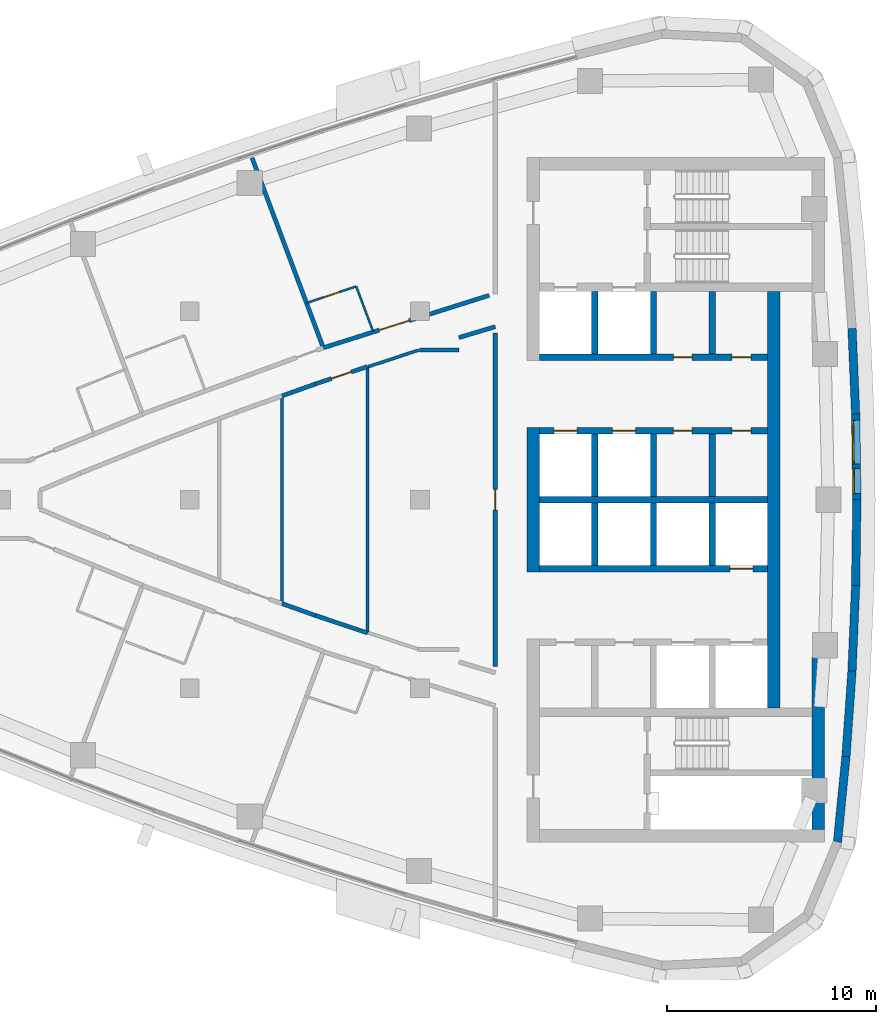
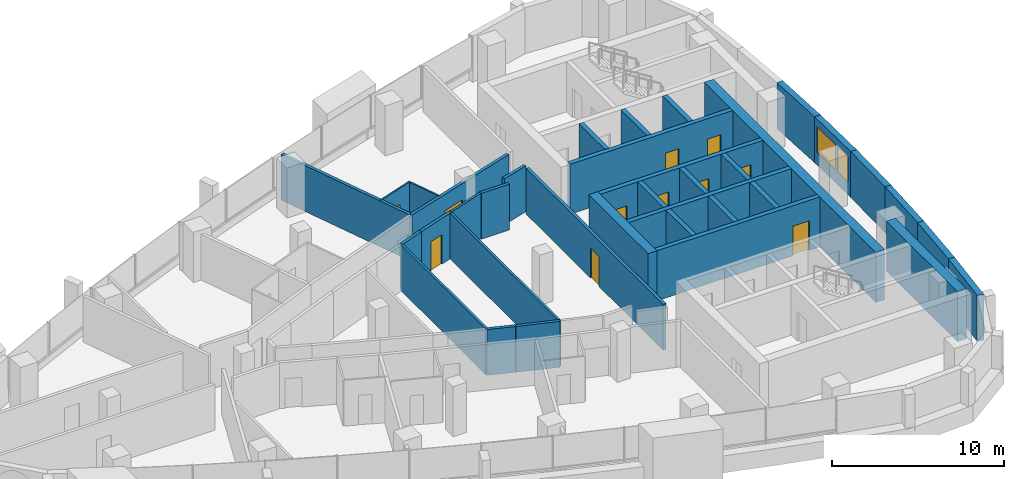
# One storey, part 10 of 15: 36 walls, 11 doors, 2 windows, 13 openings.
"""IFC4 building model written with IfcOpenShell, lengths in metres."""

from ifc_helpers import new_model, si_unit, direction, frame, frame_2d, origin, place, context, subcontext, project, spatial, polyline, rectangle, outline, extrude, material, layer, layer_set, type_object, element, fill, save


model = new_model("IFC4")

# Units and contexts
model_context = context("Model", 3, precision=1e-05, world=origin(), true_north=direction((0.0, 1.0)))
body_context = subcontext(model_context, "Body", "Model", "MODEL_VIEW")
ifc_project = project(units=[si_unit("LENGTHUNIT", "METRE"), si_unit("AREAUNIT", "SQUARE_METRE"), si_unit("VOLUMEUNIT", "CUBIC_METRE"), si_unit("PLANEANGLEUNIT", "RADIAN"), si_unit("MASSUNIT", "GRAM", prefix="KILO")], contexts=[model_context])

# Site, building, storey
site_placement = place(None, origin())
site = spatial("IfcSite", under=ifc_project, at=site_placement, CompositionType="ELEMENT")
building_placement = place(site_placement, origin())
building = spatial("IfcBuilding", under=site, at=building_placement, Name="Ostrand Prow Hotel Tower", CompositionType="ELEMENT")
storey_placement = place(building_placement, frame((0.0, 0.0, 238.550048828125)))
storey = spatial("IfcBuildingStorey", under=building, at=storey_placement, Name="L60", CompositionType="ELEMENT", Elevation=238.550048828125)

# Wall
ifc_material_1 = material(Name="Concrete C50/60", Category="concrete")
ifc_layer_1 = layer(ifc_material_1, 0.300048828125)
ifc_layer_set_1 = layer_set([ifc_layer_1], Name="Concrete C50/60")
wall_type_1 = type_object("IfcWallType", Name="Core wall 300 C50/60", PredefinedType="SHEAR", material=ifc_layer_set_1)
wall_1_placement = place(storey_placement, frame((50.699951171875, 0.0, 0.0), z_axis=(0.0, 0.0, 1.0), x_axis=(1.0, 0.0, 0.0)))
element("IfcWall", 1, at=wall_1_placement, inside=storey, type_object=wall_type_1, Name="Core wall PW-C", PredefinedType="SHEAR", context=body_context, shape_type="SweptSolid", body=[
    extrude(rectangle(XDim=10.900146484375, YDim=0.300048828125, at=frame_2d((5.4501953125, 0.0))), origin(), (0.0, 0.0, 1.0), 3.550048828125),
])

# Wall, openings, doors
wall_2_placement = place(storey_placement, frame((50.699951171875, 3.300048828125, 0.0), z_axis=(0.0, 0.0, 1.0), x_axis=(1.0, 0.0, 0.0)))
wall_2 = element("IfcWall", 2, at=wall_2_placement, inside=storey, type_object=wall_type_1, Name="Core wall PW-L1-N", PredefinedType="SHEAR", context=body_context, shape_type="SweptSolid", body=[
    extrude(rectangle(XDim=10.900146484375, YDim=0.300048828125, at=frame_2d((5.4501953125, 0.0))), origin(), (0.0, 0.0, 1.0), 3.550048828125),
])
opening_1_placement = place(wall_2_placement, frame((0.699951171875, 0.0, 0.0)))
opening_1 = element("IfcOpeningElement", 3, at=opening_1_placement, cuts=wall_2, Name="Opening LD", PredefinedType="OPENING", context=body_context, shape_type="SweptSolid", body=[
    extrude(rectangle(XDim=1.10009765625, YDim=2.10009765625, at=frame_2d((0.550048828125, 1.050048828125))), frame((0.0, 0.159912109375, 0.0), z_axis=(0.0, -1.0, 0.0), x_axis=(1.0, 0.0, 0.0)), (0.0, 0.0, 1.0), 0.320068359375),
])
opening_2_placement = place(wall_2_placement, frame((3.5, 0.0, 0.0)))
opening_2 = element("IfcOpeningElement", 4, at=opening_2_placement, cuts=wall_2, Name="Opening LD", PredefinedType="OPENING", context=body_context, shape_type="SweptSolid", body=[
    extrude(rectangle(XDim=1.10009765625, YDim=2.10009765625, at=frame_2d((0.550048828125, 1.050048828125))), frame((0.0, 0.159912109375, 0.0), z_axis=(0.0, -1.0, 0.0), x_axis=(1.0, 0.0, 0.0)), (0.0, 0.0, 1.0), 0.320068359375),
])
opening_3_placement = place(wall_2_placement, frame((6.39990234375, 0.0, 0.0)))
opening_3 = element("IfcOpeningElement", 5, at=opening_3_placement, cuts=wall_2, Name="Opening FD2", PredefinedType="OPENING", context=body_context, shape_type="SweptSolid", body=[
    extrude(rectangle(XDim=0.89990234375, YDim=2.10009765625, at=frame_2d((0.449951171875, 1.050048828125))), frame((0.0, 0.159912109375, 0.0), z_axis=(0.0, -1.0, 0.0), x_axis=(1.0, 0.0, 0.0)), (0.0, 0.0, 1.0), 0.320068359375),
])
opening_4_placement = place(wall_2_placement, frame((9.199951171875, 0.0, 0.0)))
opening_4 = element("IfcOpeningElement", 6, at=opening_4_placement, cuts=wall_2, Name="Opening FD2", PredefinedType="OPENING", context=body_context, shape_type="SweptSolid", body=[
    extrude(rectangle(XDim=0.89990234375, YDim=2.10009765625, at=frame_2d((0.449951171875, 1.050048828125))), frame((0.0, 0.159912109375, 0.0), z_axis=(0.0, -1.0, 0.0), x_axis=(1.0, 0.0, 0.0)), (0.0, 0.0, 1.0), 0.320068359375),
])
ifc_material_2 = material(Name="Steel fire door", Category="steel")
door_type_1 = type_object("IfcDoorType", Name="Fire door 900 EI120", OperationType="SINGLE_SWING_LEFT", PredefinedType="DOOR", material=ifc_material_2)
door_1_placement = place(opening_3_placement, origin())
door_1 = element("IfcDoor", 7, at=door_1_placement, inside=storey, type_object=door_type_1, Name="DOOR", OperationType="SINGLE_SWING_LEFT", OverallHeight=2.10009765625, OverallWidth=0.89990234375, PredefinedType="DOOR", context=body_context, shape_type="SweptSolid", body=[
    extrude(rectangle(XDim=0.89990234375, YDim=2.10009765625, at=frame_2d((0.449951171875, 1.050048828125))), frame((0.0, 0.02490234375, 0.0), z_axis=(0.0, -1.0, 0.0), x_axis=(1.0, 0.0, 0.0)), (0.0, 0.0, 1.0), 0.050048828125),
])
fill(opening_3, door_1)
door_2_placement = place(opening_4_placement, origin())
door_2 = element("IfcDoor", 8, at=door_2_placement, inside=storey, type_object=door_type_1, Name="DOOR", OperationType="SINGLE_SWING_LEFT", OverallHeight=2.10009765625, OverallWidth=0.89990234375, PredefinedType="DOOR", context=body_context, shape_type="SweptSolid", body=[
    extrude(rectangle(XDim=0.89990234375, YDim=2.10009765625, at=frame_2d((0.449951171875, 1.050048828125))), frame((0.0, 0.02490234375, 0.0), z_axis=(0.0, -1.0, 0.0), x_axis=(1.0, 0.0, 0.0)), (0.0, 0.0, 1.0), 0.050048828125),
])
fill(opening_4, door_2)
ifc_material_3 = material(Name="Stainless steel door", Category="steel")
door_type_2 = type_object("IfcDoorType", Name="Lift landing door 1100", OperationType="DOUBLE_DOOR_SLIDING", PredefinedType="DOOR", material=ifc_material_3)
door_3_placement = place(opening_1_placement, origin())
door_3 = element("IfcDoor", 9, at=door_3_placement, inside=storey, type_object=door_type_2, Name="LIFT LANDING DOOR", OperationType="DOUBLE_DOOR_SLIDING", OverallHeight=2.10009765625, OverallWidth=1.10009765625, PredefinedType="DOOR", context=body_context, shape_type="SweptSolid", body=[
    extrude(rectangle(XDim=1.10009765625, YDim=2.10009765625, at=frame_2d((0.550048828125, 1.050048828125))), frame((0.0, 0.02490234375, 0.0), z_axis=(0.0, -1.0, 0.0), x_axis=(1.0, 0.0, 0.0)), (0.0, 0.0, 1.0), 0.050048828125),
])
fill(opening_1, door_3)
door_4_placement = place(opening_2_placement, origin())
door_4 = element("IfcDoor", 10, at=door_4_placement, inside=storey, type_object=door_type_2, Name="LIFT LANDING DOOR", OperationType="DOUBLE_DOOR_SLIDING", OverallHeight=2.10009765625, OverallWidth=1.10009765625, PredefinedType="DOOR", context=body_context, shape_type="SweptSolid", body=[
    extrude(rectangle(XDim=1.10009765625, YDim=2.10009765625, at=frame_2d((0.550048828125, 1.050048828125))), frame((0.0, 0.02490234375, 0.0), z_axis=(0.0, -1.0, 0.0), x_axis=(1.0, 0.0, 0.0)), (0.0, 0.0, 1.0), 0.050048828125),
])
fill(opening_2, door_4)

wall_3_placement = place(storey_placement, frame((50.699951171875, 6.800048828125, 0.0), z_axis=(0.0, 0.0, 1.0), x_axis=(1.0, 0.0, 0.0)))
wall_3 = element("IfcWall", 11, at=wall_3_placement, inside=storey, type_object=wall_type_1, Name="Core wall PW-L2-N", PredefinedType="SHEAR", context=body_context, shape_type="SweptSolid", body=[
    extrude(rectangle(XDim=10.900146484375, YDim=0.300048828125, at=frame_2d((5.4501953125, 0.0))), origin(), (0.0, 0.0, 1.0), 3.550048828125),
])
opening_5_placement = place(wall_3_placement, frame((6.39990234375, 0.0, 0.0)))
opening_5 = element("IfcOpeningElement", 12, at=opening_5_placement, cuts=wall_3, Name="Opening FD2", PredefinedType="OPENING", context=body_context, shape_type="SweptSolid", body=[
    extrude(rectangle(XDim=0.89990234375, YDim=2.10009765625, at=frame_2d((0.449951171875, 1.050048828125))), frame((0.0, 0.159912109375, 0.0), z_axis=(0.0, -1.0, 0.0), x_axis=(1.0, 0.0, 0.0)), (0.0, 0.0, 1.0), 0.320068359375),
])
opening_6_placement = place(wall_3_placement, frame((9.199951171875, 0.0, 0.0)))
opening_6 = element("IfcOpeningElement", 13, at=opening_6_placement, cuts=wall_3, Name="Opening FD2", PredefinedType="OPENING", context=body_context, shape_type="SweptSolid", body=[
    extrude(rectangle(XDim=0.89990234375, YDim=2.10009765625, at=frame_2d((0.449951171875, 1.050048828125))), frame((0.0, 0.159912109375, 0.0), z_axis=(0.0, -1.0, 0.0), x_axis=(1.0, 0.0, 0.0)), (0.0, 0.0, 1.0), 0.320068359375),
])
door_5_placement = place(opening_5_placement, origin())
door_5 = element("IfcDoor", 14, at=door_5_placement, inside=storey, type_object=door_type_1, Name="DOOR", OperationType="SINGLE_SWING_LEFT", OverallHeight=2.10009765625, OverallWidth=0.89990234375, PredefinedType="DOOR", context=body_context, shape_type="SweptSolid", body=[
    extrude(rectangle(XDim=0.89990234375, YDim=2.10009765625, at=frame_2d((0.449951171875, 1.050048828125))), frame((0.0, 0.02490234375, 0.0), z_axis=(0.0, -1.0, 0.0), x_axis=(1.0, 0.0, 0.0)), (0.0, 0.0, 1.0), 0.050048828125),
])
fill(opening_5, door_5)
door_6_placement = place(opening_6_placement, origin())
door_6 = element("IfcDoor", 15, at=door_6_placement, inside=storey, type_object=door_type_1, Name="DOOR", OperationType="SINGLE_SWING_LEFT", OverallHeight=2.10009765625, OverallWidth=0.89990234375, PredefinedType="DOOR", context=body_context, shape_type="SweptSolid", body=[
    extrude(rectangle(XDim=0.89990234375, YDim=2.10009765625, at=frame_2d((0.449951171875, 1.050048828125))), frame((0.0, 0.02490234375, 0.0), z_axis=(0.0, -1.0, 0.0), x_axis=(1.0, 0.0, 0.0)), (0.0, 0.0, 1.0), 0.050048828125),
])
fill(opening_6, door_6)

# Walls
for number, where, z_axis, x_axis, name in (
    (16, (53.35009765625, 0.14990234375, 0.0), (0.0, 0.0, 1.0), (0.0, 1.0, 0.0), "Core wall PW-R1-NB"),
    (17, (53.35009765625, 6.949951171875, 0.0), (0.0, 0.0, 1.0), (0.0, 1.0, 0.0), "Core wall PW-R1-NA"),
    (18, (56.14990234375, 0.14990234375, 0.0), (0.0, 0.0, 1.0), (0.0, 1.0, 0.0), "Core wall PW-R2-NB"),
    (19, (56.14990234375, 6.949951171875, 0.0), (0.0, 0.0, 1.0), (0.0, 1.0, 0.0), "Core wall PW-R2-NA"),
    (20, (58.949951171875, 0.14990234375, 0.0), (0.0, 0.0, 1.0), (0.0, 1.0, 0.0), "Core wall PW-R3-NB"),
    (21, (58.949951171875, 6.949951171875, 0.0), (0.0, 0.0, 1.0), (0.0, 1.0, 0.0), "Core wall PW-R3-NA"),
):
    element("IfcWall", number, at=place(storey_placement, frame(where, z_axis=z_axis, x_axis=x_axis)), inside=storey, type_object=wall_type_1, Name=name, PredefinedType="SHEAR", context=body_context, shape_type="SweptSolid", body=[
        extrude(rectangle(XDim=3.0, YDim=0.300048828125, at=frame_2d((1.5, 0.0))), origin(), (0.0, 0.0, 1.0), 3.550048828125),
    ])

# Wall, opening, door
wall_4_placement = place(storey_placement, frame((50.699951171875, -3.300048828125, 0.0), z_axis=(0.0, 0.0, 1.0), x_axis=(1.0, 0.0, 0.0)))
wall_4 = element("IfcWall", 22, at=wall_4_placement, inside=storey, type_object=wall_type_1, Name="Core wall PW-L1-S", PredefinedType="SHEAR", context=body_context, shape_type="SweptSolid", body=[
    extrude(rectangle(XDim=10.900146484375, YDim=0.300048828125, at=frame_2d((5.4501953125, 0.0))), origin(), (0.0, 0.0, 1.0), 3.550048828125),
])
opening_7_placement = place(wall_4_placement, frame((9.10009765625, 0.0, 0.0)))
opening_7 = element("IfcOpeningElement", 23, at=opening_7_placement, cuts=wall_4, Name="Opening LD", PredefinedType="OPENING", context=body_context, shape_type="SweptSolid", body=[
    extrude(rectangle(XDim=1.10009765625, YDim=2.10009765625, at=frame_2d((0.550048828125, 1.050048828125))), frame((0.0, 0.159912109375, 0.0), z_axis=(0.0, -1.0, 0.0), x_axis=(1.0, 0.0, 0.0)), (0.0, 0.0, 1.0), 0.320068359375),
])
door_7_placement = place(opening_7_placement, origin())
door_7 = element("IfcDoor", 24, at=door_7_placement, inside=storey, type_object=door_type_2, Name="LIFT LANDING DOOR", OperationType="DOUBLE_DOOR_SLIDING", OverallHeight=2.10009765625, OverallWidth=1.10009765625, PredefinedType="DOOR", context=body_context, shape_type="SweptSolid", body=[
    extrude(rectangle(XDim=1.10009765625, YDim=2.10009765625, at=frame_2d((0.550048828125, 1.050048828125))), frame((0.0, 0.02490234375, 0.0), z_axis=(0.0, -1.0, 0.0), x_axis=(1.0, 0.0, 0.0)), (0.0, 0.0, 1.0), 0.050048828125),
])
fill(opening_7, door_7)

# Walls
for number, where, z_axis, x_axis, name in (
    (25, (53.35009765625, -3.14990234375, 0.0), (0.0, 0.0, 1.0), (0.0, 1.0, 0.0), "Core wall PW-R1-SB"),
    (26, (56.14990234375, -3.14990234375, 0.0), (0.0, 0.0, 1.0), (0.0, 1.0, 0.0), "Core wall PW-R2-SB"),
    (27, (58.949951171875, -3.14990234375, 0.0), (0.0, 0.0, 1.0), (0.0, 1.0, 0.0), "Core wall PW-R3-SB"),
):
    element("IfcWall", number, at=place(storey_placement, frame(where, z_axis=z_axis, x_axis=x_axis)), inside=storey, type_object=wall_type_1, Name=name, PredefinedType="SHEAR", context=body_context, shape_type="SweptSolid", body=[
        extrude(rectangle(XDim=3.0, YDim=0.300048828125, at=frame_2d((1.5, 0.0))), origin(), (0.0, 0.0, 1.0), 3.550048828125),
    ])
ifc_material_4 = material(Name="Concrete C50/60", Category="concrete")
ifc_layer_2 = layer(ifc_material_4, 0.60009765625)
ifc_layer_set_2 = layer_set([ifc_layer_2], Name="Concrete C50/60")
wall_type_2 = type_object("IfcWallType", Name="Core wall 600 C50/60", PredefinedType="SHEAR", material=ifc_layer_set_2)
wall_5_placement = place(storey_placement, frame((50.39990234375, -3.449951171875, 0.0), z_axis=(0.0, 0.0, 1.0), x_axis=(0.0, 1.0, 0.0)))
element("IfcWall", 28, at=wall_5_placement, inside=storey, type_object=wall_type_2, Name="Core wall CW-W-C", PredefinedType="SHEAR", context=body_context, shape_type="SweptSolid", body=[
    extrude(rectangle(XDim=6.89990234375, YDim=0.60009765625, at=frame_2d((3.449951171875, 0.0))), origin(), (0.0, 0.0, 1.0), 3.550048828125),
])
wall_6_placement = place(storey_placement, frame((64.02001953125, -15.75, 0.0), z_axis=(0.0, 0.0, 1.0), x_axis=(0.0, 1.0, 0.0)))
element("IfcWall", 29, at=wall_6_placement, inside=storey, type_object=wall_type_2, Name="Core wall CW-E-S", PredefinedType="SHEAR", context=body_context, shape_type="SweptSolid", body=[
    extrude(rectangle(XDim=8.247802734375, YDim=0.60009765625, at=frame_2d((4.1240234375, 0.0))), origin(), (0.0, 0.0, 1.0), 3.550048828125),
])
wall_7_placement = place(storey_placement, frame((61.89990234375, -9.949951171875, 0.0), z_axis=(0.0, 0.0, 1.0), x_axis=(0.0, 1.0, 0.0)))
element("IfcWall", 30, at=wall_7_placement, inside=storey, type_object=wall_type_2, Name="Core wall CW-E-C", PredefinedType="SHEAR", context=body_context, shape_type="SweptSolid", body=[
    extrude(rectangle(XDim=19.89990234375, YDim=0.60009765625, at=frame_2d((9.949951171875, 0.0))), origin(), (0.0, 0.0, 1.0), 3.550048828125),
])

# Wall, opening, door
ifc_material_5 = material(Name="Plasterboard partition")
ifc_layer_3 = layer(ifc_material_5, 0.10009765625)
ifc_layer_set_3 = layer_set([ifc_layer_3], Name="Plasterboard partition")
wall_type_3 = type_object("IfcWallType", Name="Partition 100 bathroom wall", PredefinedType="PARTITIONING", material=ifc_layer_set_3)
wall_8_placement = place(storey_placement, frame((39.57861328125, 9.393310546875, 0.0), z_axis=(0.0, 0.0, 1.0), x_axis=(0.948468383404, 0.316871781141, 0.0)))
wall_8 = element("IfcWall", 31, at=wall_8_placement, inside=storey, type_object=wall_type_3, Name="BATHROOM WALL", PredefinedType="PARTITIONING", context=body_context, shape_type="SweptSolid", body=[
    extrude(rectangle(XDim=2.501708984375, YDim=0.10009765625, at=frame_2d((1.2509765625, 0.0))), origin(), (0.0, 0.0, 1.0), 3.25),
])
opening_8_placement = place(wall_8_placement, frame((0.85009765625, 0.0, 0.0)))
opening_8 = element("IfcOpeningElement", 32, at=opening_8_placement, cuts=wall_8, Name="Opening D2", PredefinedType="OPENING", context=body_context, shape_type="SweptSolid", body=[
    extrude(rectangle(XDim=0.800048828125, YDim=2.10009765625, at=frame_2d((0.39990234375, 1.050048828125))), frame((0.0, 0.06005859375, 0.0), z_axis=(0.0, -1.0, 0.0), x_axis=(1.0, 0.0, 0.0)), (0.0, 0.0, 1.0), 0.1201171875),
])
ifc_material_6 = material(Name="Timber door leaf", Category="wood")
door_type_3 = type_object("IfcDoorType", Name="Bathroom door 800", OperationType="SINGLE_SWING_LEFT", PredefinedType="DOOR", material=ifc_material_6)
door_8_placement = place(opening_8_placement, origin())
door_8 = element("IfcDoor", 33, at=door_8_placement, inside=storey, type_object=door_type_3, Name="DOOR", OperationType="SINGLE_SWING_LEFT", OverallHeight=2.10009765625, OverallWidth=0.800048828125, PredefinedType="DOOR", context=body_context, shape_type="SweptSolid", body=[
    extrude(rectangle(XDim=0.800048828125, YDim=2.10009765625, at=frame_2d((0.39990234375, 1.050048828125))), frame((0.0, 0.02490234375, 0.0), z_axis=(0.0, -1.0, 0.0), x_axis=(1.0, 0.0, 0.0)), (0.0, 0.0, 1.0), 0.050048828125),
])
fill(opening_8, door_8)

# Walls
wall_9_placement = place(storey_placement, frame((41.951416015625, 10.185791015625, 0.0), z_axis=(0.0, 0.0, 1.0), x_axis=(0.351146927505, -0.936320370014, 0.0)))
element("IfcWall", 34, at=wall_9_placement, inside=storey, type_object=wall_type_3, Name="BATHROOM WALL", PredefinedType="PARTITIONING", context=body_context, shape_type="SweptSolid", body=[
    extrude(rectangle(XDim=2.2783203125, YDim=0.10009765625, at=frame_2d((1.13916015625, 0.0))), origin(), (0.0, 0.0, 1.0), 3.25),
])
ifc_material_7 = material(Name="Plasterboard partition")
ifc_layer_4 = layer(ifc_material_7, 0.14990234375)
ifc_layer_set_4 = layer_set([ifc_layer_4], Name="Plasterboard partition")
wall_type_4 = type_object("IfcWallType", Name="Partition 150 room partition", PredefinedType="PARTITIONING", material=ifc_layer_set_4)
wall_10_placement = place(storey_placement, frame((38.409912109375, -4.960693359375, 0.0), z_axis=(0.0, 0.0, 1.0), x_axis=(0.0, 1.0, 0.0)))
element("IfcWall", 35, at=wall_10_placement, inside=storey, type_object=wall_type_4, Name="ROOM PARTITION", PredefinedType="PARTITIONING", context=body_context, shape_type="SweptSolid", body=[
    extrude(rectangle(XDim=9.92138671875, YDim=0.14990234375, at=frame_2d((4.960693359375, 0.0))), origin(), (0.0, 0.0, 1.0), 3.25),
])
wall_11_placement = place(storey_placement, frame((42.48583984375, -6.358154296875, 0.0), z_axis=(0.0, 0.0, 1.0), x_axis=(0.0, 1.0, 0.0)))
element("IfcWall", 36, at=wall_11_placement, inside=storey, type_object=wall_type_4, Name="ROOM PARTITION", PredefinedType="PARTITIONING", context=body_context, shape_type="SweptSolid", body=[
    extrude(rectangle(XDim=12.71630859375, YDim=0.14990234375, at=frame_2d((6.358154296875, 0.0))), origin(), (0.0, 0.0, 1.0), 3.25),
])
wall_12_placement = place(storey_placement, frame((42.52587890625, 6.353271484375, 0.0), z_axis=(0.0, 0.0, 1.0), x_axis=(0.949956634582, 0.312381805511, 0.0)))
element("IfcWall", 37, at=wall_12_placement, inside=storey, type_object=wall_type_4, Name="ROOM PARTITION", PredefinedType="PARTITIONING", context=body_context, shape_type="SweptSolid", body=[
    extrude(rectangle(XDim=2.53466796875, YDim=0.14990234375, at=frame_2d((1.267333984375, 0.0))), origin(), (0.0, 0.0, 1.0), 3.25),
])

# Wall, opening, door
ifc_material_8 = material(Name="Plasterboard partition")
ifc_layer_5 = layer(ifc_material_8, 0.199951171875)
ifc_layer_set_5 = layer_set([ifc_layer_5], Name="Plasterboard partition")
wall_type_5 = type_object("IfcWallType", Name="Partition 200 corridor wall", PredefinedType="PARTITIONING", material=ifc_layer_set_5)
wall_13_placement = place(storey_placement, frame((39.999267578125, 5.52734375, 0.0), z_axis=(0.0, 0.0, 1.0), x_axis=(0.948459565489, 0.316898173918, 0.0)))
wall_13 = element("IfcWall", 38, at=wall_13_placement, inside=storey, type_object=wall_type_5, Name="CORRIDOR WALL", PredefinedType="PARTITIONING", context=body_context, shape_type="SweptSolid", body=[
    extrude(rectangle(XDim=2.62158203125, YDim=0.199951171875, at=frame_2d((1.310791015625, 0.0))), origin(), (0.0, 0.0, 1.0), 3.25),
])
opening_9_placement = place(wall_13_placement, frame((0.810791015625, 0.0, 0.0)))
opening_9 = element("IfcOpeningElement", 39, at=opening_9_placement, cuts=wall_13, Name="Opening D1", PredefinedType="OPENING", context=body_context, shape_type="SweptSolid", body=[
    extrude(rectangle(XDim=1.0, YDim=2.10009765625, at=frame_2d((0.5, 1.050048828125))), frame((0.0, 0.10986328125, 0.0), z_axis=(0.0, -1.0, 0.0), x_axis=(1.0, 0.0, 0.0)), (0.0, 0.0, 1.0), 0.219970703125),
])
ifc_material_9 = material(Name="Timber door leaf", Category="wood")
door_type_4 = type_object("IfcDoorType", Name="Guest room door 1000", OperationType="SINGLE_SWING_LEFT", PredefinedType="DOOR", material=ifc_material_9)
door_9_placement = place(opening_9_placement, origin())
door_9 = element("IfcDoor", 40, at=door_9_placement, inside=storey, type_object=door_type_4, Name="DOOR", OperationType="SINGLE_SWING_LEFT", OverallHeight=2.10009765625, OverallWidth=1.0, PredefinedType="DOOR", context=body_context, shape_type="SweptSolid", body=[
    extrude(rectangle(XDim=1.0, YDim=2.10009765625, at=frame_2d((0.5, 1.050048828125))), frame((0.0, 0.02490234375, 0.0), z_axis=(0.0, -1.0, 0.0), x_axis=(1.0, 0.0, 0.0)), (0.0, 0.0, 1.0), 0.050048828125),
])
fill(opening_9, door_9)

# Walls
wall_14_placement = place(storey_placement, frame((42.48583984375, -6.358154296875, 0.0), z_axis=(0.0, 0.0, 1.0), x_axis=(-0.948459565489, 0.316898173918, 0.0)))
element("IfcWall", 41, at=wall_14_placement, inside=storey, type_object=wall_type_5, Name="CORRIDOR WALL", PredefinedType="PARTITIONING", context=body_context, shape_type="SweptSolid", body=[
    extrude(rectangle(XDim=2.62158203125, YDim=0.199951171875, at=frame_2d((1.310791015625, 0.0))), origin(), (0.0, 0.0, 1.0), 3.25),
])
for number, where, z_axis, x_axis, name in (
    (42, (39.999267578125, -5.52734375, 0.0), (0.0, 0.0, 1.0), (-0.941925088036, 0.335823061341, 0.0), "CORRIDOR WALL"),
    (43, (38.409912109375, 4.960693359375, 0.0), (0.0, 0.0, 1.0), (0.941925088036, 0.335823061341, 0.0), "CORRIDOR WALL"),
):
    element("IfcWall", number, at=place(storey_placement, frame(where, z_axis=z_axis, x_axis=x_axis)), inside=storey, type_object=wall_type_5, Name=name, PredefinedType="PARTITIONING", context=body_context, shape_type="SweptSolid", body=[
        extrude(rectangle(XDim=1.687255859375, YDim=0.199951171875, at=frame_2d((0.84375, 0.0))), origin(), (0.0, 0.0, 1.0), 3.25),
    ])

# Wall, opening, door
wall_15_placement = place(storey_placement, frame((40.3798828125, 7.257080078125, 0.0), z_axis=(0.0, 0.0, 1.0), x_axis=(0.953536454425, 0.301277662768, 0.0)))
wall_15 = element("IfcWall", 44, at=wall_15_placement, inside=storey, type_object=wall_type_5, Name="CORRIDOR WALL", PredefinedType="PARTITIONING", context=body_context, shape_type="SweptSolid", body=[
    extrude(rectangle(XDim=8.30615234375, YDim=0.199951171875, at=frame_2d((4.153076171875, 0.0))), origin(), (0.0, 0.0, 1.0), 3.25),
])
opening_10_placement = place(wall_15_placement, frame((2.800048828125, 0.0, 0.0)))
opening_10 = element("IfcOpeningElement", 45, at=opening_10_placement, cuts=wall_15, Name="Opening D15", PredefinedType="OPENING", context=body_context, shape_type="SweptSolid", body=[
    extrude(rectangle(XDim=1.5, YDim=2.10009765625, at=frame_2d((0.75, 1.050048828125))), frame((0.0, 0.10986328125, 0.0), z_axis=(0.0, -1.0, 0.0), x_axis=(1.0, 0.0, 0.0)), (0.0, 0.0, 1.0), 0.219970703125),
])
ifc_material_10 = material(Name="Timber door leaf", Category="wood")
door_type_5 = type_object("IfcDoorType", Name="Double door 1500", OperationType="DOUBLE_DOOR_SINGLE_SWING", PredefinedType="DOOR", material=ifc_material_10)
door_10_placement = place(opening_10_placement, origin())
door_10 = element("IfcDoor", 46, at=door_10_placement, inside=storey, type_object=door_type_5, Name="DOOR", OperationType="DOUBLE_DOOR_SINGLE_SWING", OverallHeight=2.10009765625, OverallWidth=1.5, PredefinedType="DOOR", context=body_context, shape_type="SweptSolid", body=[
    extrude(rectangle(XDim=1.5, YDim=2.10009765625, at=frame_2d((0.75, 1.050048828125))), frame((0.0, 0.02490234375, 0.0), z_axis=(0.0, -1.0, 0.0), x_axis=(1.0, 0.0, 0.0)), (0.0, 0.0, 1.0), 0.050048828125),
])
fill(opening_10, door_10)

wall_16_placement = place(storey_placement, frame((48.594970703125, 7.95703125, 0.0), z_axis=(0.0, 0.0, 1.0), x_axis=(0.0, -1.0, 0.0)))
wall_16 = element("IfcWall", 47, at=wall_16_placement, inside=storey, type_object=wall_type_5, Name="CORRIDOR WALL", PredefinedType="PARTITIONING", context=body_context, shape_type="SweptSolid", body=[
    extrude(rectangle(XDim=15.9140625, YDim=0.199951171875, at=frame_2d((7.95703125, 0.0))), origin(), (0.0, 0.0, 1.0), 3.25),
])
opening_11_placement = place(wall_16_placement, frame((7.45703125, 0.0, 0.0)))
opening_11 = element("IfcOpeningElement", 48, at=opening_11_placement, cuts=wall_16, Name="Opening D1R", PredefinedType="OPENING", context=body_context, shape_type="SweptSolid", body=[
    extrude(rectangle(XDim=1.0, YDim=2.10009765625, at=frame_2d((0.5, 1.050048828125))), frame((0.0, 0.10986328125, 0.0), z_axis=(0.0, -1.0, 0.0), x_axis=(1.0, 0.0, 0.0)), (0.0, 0.0, 1.0), 0.219970703125),
])
ifc_material_11 = material(Name="Timber door leaf", Category="wood")
door_type_6 = type_object("IfcDoorType", Name="Guest room door 1000 right", OperationType="SINGLE_SWING_RIGHT", PredefinedType="DOOR", material=ifc_material_11)
door_11_placement = place(opening_11_placement, origin())
door_11 = element("IfcDoor", 49, at=door_11_placement, inside=storey, type_object=door_type_6, Name="DOOR", OperationType="SINGLE_SWING_RIGHT", OverallHeight=2.10009765625, OverallWidth=1.0, PredefinedType="DOOR", context=body_context, shape_type="SweptSolid", body=[
    extrude(rectangle(XDim=1.0, YDim=2.10009765625, at=frame_2d((0.5, 1.050048828125))), frame((0.0, 0.02490234375, 0.0), z_axis=(0.0, -1.0, 0.0), x_axis=(1.0, 0.0, 0.0)), (0.0, 0.0, 1.0), 0.050048828125),
])
fill(opening_11, door_11)

# Walls
wall_17_placement = place(storey_placement, frame((44.973388671875, 7.14501953125, 0.0), z_axis=(0.0, 0.0, 1.0), x_axis=(0.999999991552, 0.0001299883, 0.0)))
element("IfcWall", 50, at=wall_17_placement, inside=storey, type_object=wall_type_5, Name="CORRIDOR WALL", PredefinedType="PARTITIONING", context=body_context, shape_type="SweptSolid", body=[
    extrude(rectangle(XDim=1.878173828125, YDim=0.199951171875, at=frame_2d((0.93896484375, 0.0))), origin(), (0.0, 0.0, 1.0), 3.25),
])
wall_18_placement = place(storey_placement, frame((46.85498046875, 7.744140625, 0.0), z_axis=(0.0, 0.0, 1.0), x_axis=(0.958014760688, 0.286718883759, 0.0)))
element("IfcWall", 51, at=wall_18_placement, inside=storey, type_object=wall_type_5, Name="CORRIDOR WALL", PredefinedType="PARTITIONING", context=body_context, shape_type="SweptSolid", body=[
    extrude(rectangle(XDim=1.816162109375, YDim=0.199951171875, at=frame_2d((0.908203125, 0.0))), origin(), (0.0, 0.0, 1.0), 3.25),
])
ifc_material_12 = material(Name="Plasterboard partition")
ifc_layer_6 = layer(ifc_material_12, 0.199951171875)
ifc_layer_set_6 = layer_set([ifc_layer_6], Name="Plasterboard partition")
wall_type_6 = type_object("IfcWallType", Name="Partition 200 key partition", PredefinedType="PARTITIONING", material=ifc_layer_set_6)
wall_19_placement = place(storey_placement, frame((40.38671875, 7.23828125, 0.0), z_axis=(0.0, 0.0, 1.0), x_axis=(-0.351098633881, 0.936338480084, 0.0)))
element("IfcWall", 52, at=wall_19_placement, inside=storey, type_object=wall_type_6, Name="KEY PARTITION", PredefinedType="PARTITIONING", context=body_context, shape_type="SweptSolid", body=[
    extrude(rectangle(XDim=9.70654296875, YDim=0.199951171875, at=frame_2d((4.853271484375, 0.0))), origin(), (0.0, 0.0, 1.0), 3.25),
])
ifc_material_13 = material(Name="Precast concrete C40/50", Category="concrete")
ifc_layer_7 = layer(ifc_material_13, 0.39990234375)
ifc_layer_set_7 = layer_set([ifc_layer_7], Name="Precast concrete C40/50")
wall_type_7 = type_object("IfcWallType", Name="Stone-faced precast wall 400 mm", PredefinedType="NOTDEFINED", material=ifc_layer_set_7)
wall_20_placement = place(storey_placement, frame((64.9375, -16.33740234375, 0.0), z_axis=(0.0, 0.0, 1.0), x_axis=(0.098718218066, 0.995115427185, 0.0)))
element("IfcWall", 53, at=wall_20_placement, inside=storey, type_object=wall_type_7, Name="Stone-faced wall back 5", PredefinedType="NOTDEFINED", context=body_context, shape_type="SweptSolid", body=[
    extrude(outline(polyline([(-0.02978515625, -0.199951171875), (4.095703125, -0.199951171875), (4.09033203125, 0.199951171875), (0.02978515625, 0.199951171875), (-0.02978515625, -0.199951171875)])), origin(), (0.0, 0.0, 1.0), 3.25),
])
wall_21_placement = place(storey_placement, frame((65.341552734375, -12.264404296875, 0.0), z_axis=(0.0, 0.0, 1.0), x_axis=(0.070623905352, 0.997503014528, 0.0)))
element("IfcWall", 54, at=wall_21_placement, inside=storey, type_object=wall_type_7, Name="Stone-faced wall back 6", PredefinedType="NOTDEFINED", context=body_context, shape_type="SweptSolid", body=[
    extrude(outline(polyline([(-0.002685546875, -0.199951171875), (4.095703125, -0.199951171875), (4.09033203125, 0.199951171875), (0.002685546875, 0.199951171875), (-0.002685546875, -0.199951171875)])), origin(), (0.0, 0.0, 1.0), 3.25),
])
wall_22_placement = place(storey_placement, frame((65.630615234375, -8.181640625, 0.0), z_axis=(0.0, 0.0, 1.0), x_axis=(0.042352554594, 0.999102728011, 0.0)))
element("IfcWall", 55, at=wall_22_placement, inside=storey, type_object=wall_type_7, Name="Stone-faced wall back 7", PredefinedType="NOTDEFINED", context=body_context, shape_type="SweptSolid", body=[
    extrude(outline(polyline([(-0.002685546875, -0.199951171875), (4.095458984375, -0.199951171875), (4.090087890625, 0.199951171875), (0.002685546875, 0.199951171875), (-0.002685546875, -0.199951171875)])), origin(), (0.0, 0.0, 1.0), 3.25),
])
wall_23_placement = place(storey_placement, frame((65.803955078125, -4.092529296875, 0.0), z_axis=(0.0, 0.0, 1.0), x_axis=(0.014136867892, 0.99990006949, 0.0)))
element("IfcWall", 56, at=wall_23_placement, inside=storey, type_object=wall_type_7, Name="Stone-faced wall back 8", PredefinedType="NOTDEFINED", context=body_context, shape_type="SweptSolid", body=[
    extrude(outline(polyline([(-0.002685546875, -0.199951171875), (4.095703125, -0.199951171875), (4.09033203125, 0.199951171875), (0.002685546875, 0.199951171875), (-0.002685546875, -0.199951171875)])), origin(), (0.0, 0.0, 1.0), 3.25),
])

# Wall, openings, windows
wall_24_placement = place(storey_placement, frame((65.86181640625, 0.0, 0.0), z_axis=(0.0, 0.0, 1.0), x_axis=(-0.014136867892, 0.99990006949, 0.0)))
wall_24 = element("IfcWall", 57, at=wall_24_placement, inside=storey, type_object=wall_type_7, Name="Stone-faced wall back 9", PredefinedType="NOTDEFINED", context=body_context, shape_type="SweptSolid", body=[
    extrude(outline(polyline([(-0.002685546875, -0.199951171875), (4.095703125, -0.199951171875), (4.09033203125, 0.199951171875), (0.002685546875, 0.199951171875), (-0.002685546875, -0.199951171875)])), origin(), (0.0, 0.0, 1.0), 3.25),
])
opening_12_placement = place(wall_24_placement, frame((0.29638671875, 0.0, 0.89990234375)))
opening_12 = element("IfcOpeningElement", 58, at=opening_12_placement, cuts=wall_24, Name="Opening WS4", PredefinedType="OPENING", context=body_context, shape_type="SweptSolid", body=[
    extrude(rectangle(XDim=1.199951171875, YDim=1.800048828125, at=frame_2d((0.60009765625, 0.89990234375))), frame((0.0, 0.2099609375, 0.0), z_axis=(0.0, -1.0, 0.0), x_axis=(1.0, 0.0, 0.0)), (0.0, 0.0, 1.0), 0.419921875),
])
opening_13_placement = place(wall_24_placement, frame((1.696533203125, 0.0, 0.89990234375)))
opening_13 = element("IfcOpeningElement", 59, at=opening_13_placement, cuts=wall_24, Name="Opening WS5-21", PredefinedType="OPENING", context=body_context, shape_type="SweptSolid", body=[
    extrude(rectangle(XDim=2.10009765625, YDim=1.800048828125, at=frame_2d((1.050048828125, 0.89990234375))), frame((0.0, 0.2099609375, 0.0), z_axis=(0.0, -1.0, 0.0), x_axis=(1.0, 0.0, 0.0)), (0.0, 0.0, 1.0), 0.419921875),
])
ifc_material_14 = material(Name="Insulated glass in bronze frame", Category="glass")
window_type_1 = type_object("IfcWindowType", Name="Fixed strip window 2100x1800", PartitioningType="SINGLE_PANEL", PredefinedType="WINDOW", material=ifc_material_14)
window_1_placement = place(opening_13_placement, origin())
window_1 = element("IfcWindow", 60, at=window_1_placement, inside=storey, type_object=window_type_1, Name="Window back 9.2", OverallHeight=1.800048828125, OverallWidth=2.10009765625, PartitioningType="SINGLE_PANEL", PredefinedType="WINDOW", context=body_context, shape_type="SweptSolid", body=[
    extrude(rectangle(XDim=2.10009765625, YDim=1.800048828125, at=frame_2d((1.050048828125, 0.89990234375))), frame((0.0, 0.169921875, 0.0), z_axis=(0.0, -1.0, 0.0), x_axis=(1.0, 0.0, 0.0)), (0.0, 0.0, 1.0), 0.06005859375),
])
fill(opening_13, window_1)
ifc_material_15 = material(Name="Insulated glass in bronze frame", Category="glass")
window_type_2 = type_object("IfcWindowType", Name="Operable strip panel 1200x1800", PartitioningType="SINGLE_PANEL", PredefinedType="WINDOW", material=ifc_material_15)
window_2_placement = place(opening_12_placement, origin())
window_2 = element("IfcWindow", 61, at=window_2_placement, inside=storey, type_object=window_type_2, Name="Window back 9.1", OverallHeight=1.800048828125, OverallWidth=1.199951171875, PartitioningType="SINGLE_PANEL", PredefinedType="WINDOW", context=body_context, shape_type="SweptSolid", body=[
    extrude(rectangle(XDim=1.199951171875, YDim=1.800048828125, at=frame_2d((0.60009765625, 0.89990234375))), frame((0.0, 0.169921875, 0.0), z_axis=(0.0, -1.0, 0.0), x_axis=(1.0, 0.0, 0.0)), (0.0, 0.0, 1.0), 0.06005859375),
])
fill(opening_12, window_2)

# Wall
wall_25_placement = place(storey_placement, frame((65.803955078125, 4.092529296875, 0.0), z_axis=(0.0, 0.0, 1.0), x_axis=(-0.042352554594, 0.999102728011, 0.0)))
element("IfcWall", 62, at=wall_25_placement, inside=storey, type_object=wall_type_7, Name="Stone-faced wall back 10", PredefinedType="NOTDEFINED", context=body_context, shape_type="SweptSolid", body=[
    extrude(outline(polyline([(-0.002685546875, -0.199951171875), (4.095458984375, -0.199951171875), (4.090087890625, 0.199951171875), (0.002685546875, 0.199951171875), (-0.002685546875, -0.199951171875)])), origin(), (0.0, 0.0, 1.0), 3.25),
])

save(model, "model.ifc")
